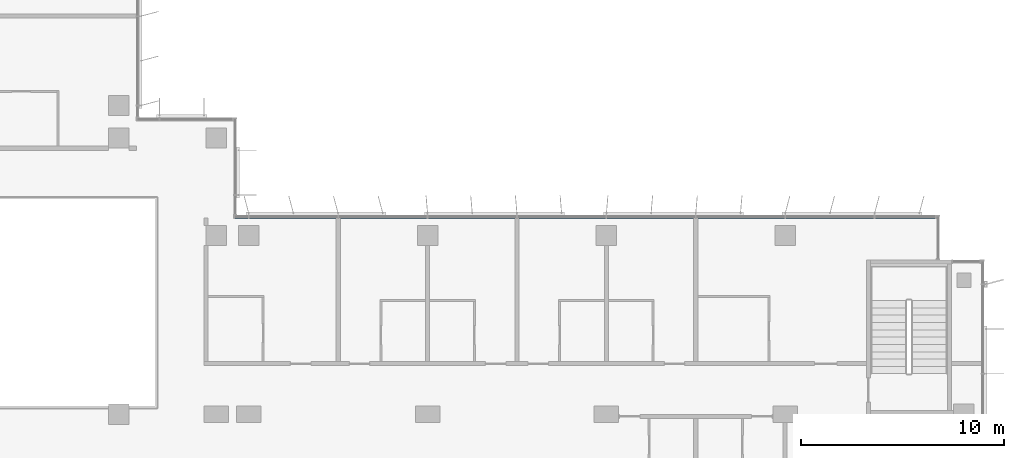
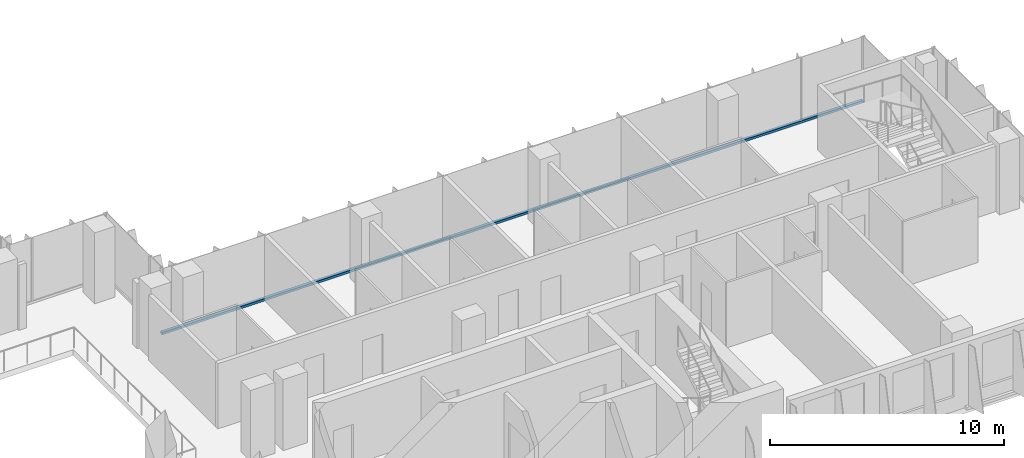
# One storey, part 3 of 21: 1 member, 1 element without a shape of its own.
"""IFC4 building model written with IfcOpenShell, lengths in metres."""

import ifcopenshell
import ifcopenshell.guid

model = None  # the IFC model being written
_history = None  # IfcOwnerHistory: only IFC2X3 demands one
_inside = {}  # id of a spatial element -> (the spatial element, [elements in it])
_under = {}  # id of a project, library or spatial element -> (it, [spatial elements below it])
_declared = {}  # id of a project -> (the project, [libraries it declares])
_typed = {}  # id of a type object -> (the type object, [elements of that type])
_made_of = {}  # id of a material, layer set ... -> (it, [elements and type objects made of it])


def new_model(schema):
    """Start an empty IFC model of exactly this schema.

    Asked for "IFC4X3", IfcOpenShell would pick the latest addendum, in which some entities
    have other attributes; the version numbers below select the first issue.
    IFC2X3 requires an IfcOwnerHistory on every rooted entity: one is made here for all.
    """
    global model, _history
    if schema == "IFC4X3":
        model = ifcopenshell.file(schema_version=(4, 3, 0, 0))
    else:
        model = ifcopenshell.file(schema=schema)
    _inside.clear()
    _under.clear()
    _declared.clear()
    _typed.clear()
    _made_of.clear()
    _history = None
    if model.schema == "IFC2X3":
        org = make("IfcOrganization", Name="unknown")
        user = make(
            "IfcPersonAndOrganization",
            ThePerson=make("IfcPerson", FamilyName="unknown"),
            TheOrganization=org,
        )
        app = make(
            "IfcApplication",
            ApplicationDeveloper=org,
            Version="unknown",
            ApplicationFullName="unknown",
            ApplicationIdentifier="unknown",
        )
        _history = make(
            "IfcOwnerHistory",
            OwningUser=user,
            OwningApplication=app,
            ChangeAction="ADDED",
            CreationDate=0,
        )
    return model


def make(cls, **values):
    """One entity of the class cls with the attributes given. An attribute that is None is left unset."""
    return model.create_entity(
        cls, **{name: value for name, value in values.items() if value is not None}
    )


def rooted(cls, **values):
    """An entity with a GlobalId (a new one), such as an element, a storey or a relation."""
    return make(cls, GlobalId=ifcopenshell.guid.new(), OwnerHistory=_history, **values)


def si_unit(unit_type, name, prefix=None):
    """IfcSIUnit, for example si_unit("LENGTHUNIT", "METRE", prefix="MILLI")."""
    return make("IfcSIUnit", UnitType=unit_type, Prefix=prefix, Name=name)


def assignment(units):
    """IfcUnitAssignment: the units of a project."""
    return None if units is None else make("IfcUnitAssignment", Units=units)


def point(xyz):
    """IfcCartesianPoint."""
    return None if xyz is None else make("IfcCartesianPoint", Coordinates=xyz)


def direction(xyz):
    """IfcDirection."""
    return None if xyz is None else make("IfcDirection", DirectionRatios=xyz)


def frame(location, z_axis=None, x_axis=None):
    """IfcAxis2Placement3D, a coordinate frame: its origin and axes. An axis left out is left unset."""
    return make(
        "IfcAxis2Placement3D",
        Location=point(location),
        Axis=direction(z_axis),
        RefDirection=direction(x_axis),
    )


def frame_2d(location, x_axis=None):
    """IfcAxis2Placement2D, a coordinate frame in the plane: its origin and x axis."""
    return make(
        "IfcAxis2Placement2D", Location=point(location), RefDirection=direction(x_axis)
    )


def origin():
    """The frame at (0, 0, 0) with its axes left unset."""
    return frame((0.0, 0.0, 0.0))


def origin_2d():
    """The frame at (0, 0) in the plane with its x axis left unset."""
    return frame_2d((0.0, 0.0))


def place(relative_to, where):
    """IfcLocalPlacement: puts the frame where relative to a parent placement (None: the world)."""
    return make(
        "IfcLocalPlacement", PlacementRelTo=relative_to, RelativePlacement=where
    )


def context(
    kind, dimensions, precision=None, world=None, true_north=None, identifier=None
):
    """IfcGeometricRepresentationContext, for example the 3D "Model" context."""
    return make(
        "IfcGeometricRepresentationContext",
        ContextIdentifier=identifier,
        ContextType=kind,
        CoordinateSpaceDimension=dimensions,
        Precision=precision,
        WorldCoordinateSystem=world,
        TrueNorth=true_north,
    )


def subcontext(parent, identifier, kind, view, scale=None):
    """IfcGeometricRepresentationSubContext, for example "Body" below "Model"."""
    return make(
        "IfcGeometricRepresentationSubContext",
        ContextIdentifier=identifier,
        ContextType=kind,
        ParentContext=parent,
        TargetScale=scale,
        TargetView=view,
    )


def project(units=None, contexts=None):
    """IfcProject with its units and contexts."""
    return rooted(
        "IfcProject",
        Name="project",
        RepresentationContexts=contexts,
        UnitsInContext=assignment(units),
    )


def spatial(cls, under=None, at=None, **own):
    """A site, building, storey or space (cls), placed at a placement, below another one or the project."""
    s = rooted(cls, ObjectPlacement=at, **own)
    if under is not None:
        _under.setdefault(under.id(), (under, []))[1].append(s)
    return s


def profile(cls, at=None, kind="AREA", **sizes):
    """A parametric profile (cls). Its sizes go by their IFC names, for example OverallWidth=200.0."""
    return make(cls, ProfileType=kind, Position=at, **sizes)


def rectangle(**sizes):
    """IfcRectangleProfileDef."""
    return profile("IfcRectangleProfileDef", **sizes)


def extrude(swept, where, along, depth):
    """IfcExtrudedAreaSolid: the profile swept, set in the frame where, extruded along a direction by depth."""
    return make(
        "IfcExtrudedAreaSolid",
        SweptArea=swept,
        Position=where,
        ExtrudedDirection=direction(along),
        Depth=depth,
    )


def shape(context_of_items, identifier, shape_type, items):
    """IfcShapeRepresentation: the items that make up one representation, for example the "Body"."""
    return make(
        "IfcShapeRepresentation",
        ContextOfItems=context_of_items,
        RepresentationIdentifier=identifier,
        RepresentationType=shape_type,
        Items=items,
    )


def material(Name=None, Category=None):
    """IfcMaterial."""
    return make("IfcMaterial", Name=Name, Category=Category)


def material_profile(
    of_material, cross_section, Name=None, Category=None, Priority=None
):
    """IfcMaterialProfile: a cross section and its material."""
    return make(
        "IfcMaterialProfile",
        Name=Name,
        Material=of_material,
        Profile=cross_section,
        Priority=Priority,
        Category=Category,
    )


def profile_set(profiles, Name=None, composite=None):
    """IfcMaterialProfileSet."""
    return make(
        "IfcMaterialProfileSet",
        Name=Name,
        MaterialProfiles=profiles,
        CompositeProfile=composite,
    )


def made_of(thing, what):
    """Note that an element or type object is made of a material, layer set ...; save() writes the relation."""
    if what is not None:
        _made_of.setdefault(what.id(), (what, []))[1].append(thing)
    return thing


def type_object(cls, material=None, **own):
    """A type object (cls), such as IfcWallType, which elements share."""
    return made_of(rooted(cls, **own), material)


def element(
    cls,
    number,
    at=None,
    inside=None,
    cuts=None,
    type_object=None,
    material=None,
    context=None,
    identifier="Body",
    shape_type=None,
    held_by="IfcProductDefinitionShape",
    body=None,
    shapes=None,
    **own,
):
    """One element of the class cls, such as IfcWall. Its Tag is "e" and its number.

    at: its placement. inside: the storey or other place that contains it. cuts: it is an
    opening in that element (IfcRelVoidsElement). A single representation is given by context,
    identifier, shape_type and body (its items); several are given by shapes. held_by: the class
    of the entity that holds the representations. save() writes the other relations.
    """
    e = rooted(cls, Tag="e%d" % number, ObjectPlacement=at, **own)
    if body is not None:
        shapes = [shape(context, identifier, shape_type, body)]
    if shapes is not None:
        e.Representation = make(held_by, Representations=shapes)
    if inside is not None:
        _inside.setdefault(inside.id(), (inside, []))[1].append(e)
    if cuts is not None:
        rooted(
            "IfcRelVoidsElement", RelatingBuildingElement=cuts, RelatedOpeningElement=e
        )
    if type_object is not None:
        _typed.setdefault(type_object.id(), (type_object, []))[1].append(e)
    return made_of(e, material)


def aggregate(whole, parts):
    """IfcRelAggregates: a whole, such as a stair, and the parts it consists of."""
    return rooted("IfcRelAggregates", RelatingObject=whole, RelatedObjects=parts)


def save(model, path):
    """Write the relations noted so far, then the file.

    IfcRelAggregates (storeys below a building ...), IfcRelContainedInSpatialStructure (elements
    in a storey), IfcRelDefinesByType, IfcRelAssociatesMaterial and IfcRelDeclares: one each for
    every whole, place, type object, material and project.
    """
    for whole, parts in _under.values():
        aggregate(whole, parts)
    for where, things in _inside.values():
        rooted(
            "IfcRelContainedInSpatialStructure",
            RelatedElements=things,
            RelatingStructure=where,
        )
    for kind, things in _typed.values():
        rooted("IfcRelDefinesByType", RelatedObjects=things, RelatingType=kind)
    for what, things in _made_of.values():
        rooted("IfcRelAssociatesMaterial", RelatedObjects=things, RelatingMaterial=what)
    for by, libraries in _declared.values():
        rooted("IfcRelDeclares", RelatingContext=by, RelatedDefinitions=libraries)
    model.write(path)


model = new_model("IFC4")

# Units and contexts
model_context = context("Model", 3, precision=1e-05, world=origin(), true_north=direction((0.0, 1.0)))
body_context = subcontext(model_context, "Body", "Model", "MODEL_VIEW")
ifc_project = project(units=[si_unit("LENGTHUNIT", "METRE"), si_unit("AREAUNIT", "SQUARE_METRE"), si_unit("VOLUMEUNIT", "CUBIC_METRE"), si_unit("PLANEANGLEUNIT", "RADIAN"), si_unit("MASSUNIT", "GRAM", prefix="KILO")], contexts=[model_context])

# Site, building, storey
site_placement = place(None, origin())
site = spatial("IfcSite", under=ifc_project, at=site_placement, CompositionType="ELEMENT")
building_placement = place(site_placement, origin())
building = spatial("IfcBuilding", under=site, at=building_placement, Name="Kemantara Hotel Tower", CompositionType="ELEMENT")
storey_placement = place(building_placement, frame((0.0, 0.0, 156.800048828125)))
storey = spatial("IfcBuildingStorey", under=building, at=storey_placement, Name="L38", CompositionType="ELEMENT", Elevation=156.800048828125)

# Curtain wall, member
ifc_material_1 = material(Name="Low-E tinted double insulated glass 36 mm", Category="glass")
curtain_wall_type = type_object("IfcCurtainWallType", Name="TOWER CURTAIN WALL, FRONT FACES", PredefinedType="USERDEFINED", material=ifc_material_1)
curtain_wall_placement = place(storey_placement, origin())
curtain_wall = element("IfcCurtainWall", 1, at=curtain_wall_placement, inside=storey, type_object=curtain_wall_type, Name="CW4 L38 T3-R14-1", ObjectType="TOWER CURTAIN WALL, FRONT FACES", PredefinedType="USERDEFINED")
ifc_material_2 = material(Name="Aluminium 6063-T6 bronze anodised", Category="aluminium")
ifc_material_profile = material_profile(ifc_material_2, rectangle(XDim=0.14990234375, YDim=0.1201171875, at=origin_2d()), Name="TOWER CURTAIN WALL, FRONT FACES TRANSOM")
ifc_profile_set = profile_set([ifc_material_profile], Name="Aluminium 6063-T6 bronze anodised")
member_type = type_object("IfcMemberType", Name="TOWER CURTAIN WALL, FRONT FACES TRANSOM", PredefinedType="USERDEFINED", material=ifc_profile_set)
member_placement = place(storey_placement, frame((61.25, 21.925048828125, 0.06005859375), z_axis=(-1.0, 0.0, 0.0), x_axis=(0.0, -1.0, 0.0)))
member = element("IfcMember", 2, at=member_placement, type_object=member_type, Name="CW4 sill transom T3-R14-1", ObjectType="TRANSOM", PredefinedType="USERDEFINED", context=body_context, shape_type="SweptSolid", body=[
    extrude(rectangle(XDim=0.14990234375, YDim=0.1201171875, at=origin_2d()), origin(), (0.0, 0.0, 1.0), 34.60009765625),
])
aggregate(curtain_wall, [member])

save(model, "model.ifc")
